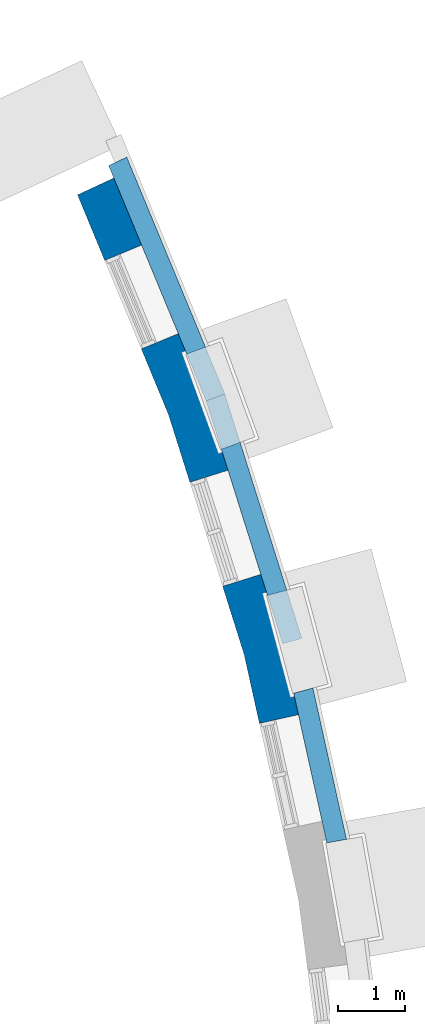
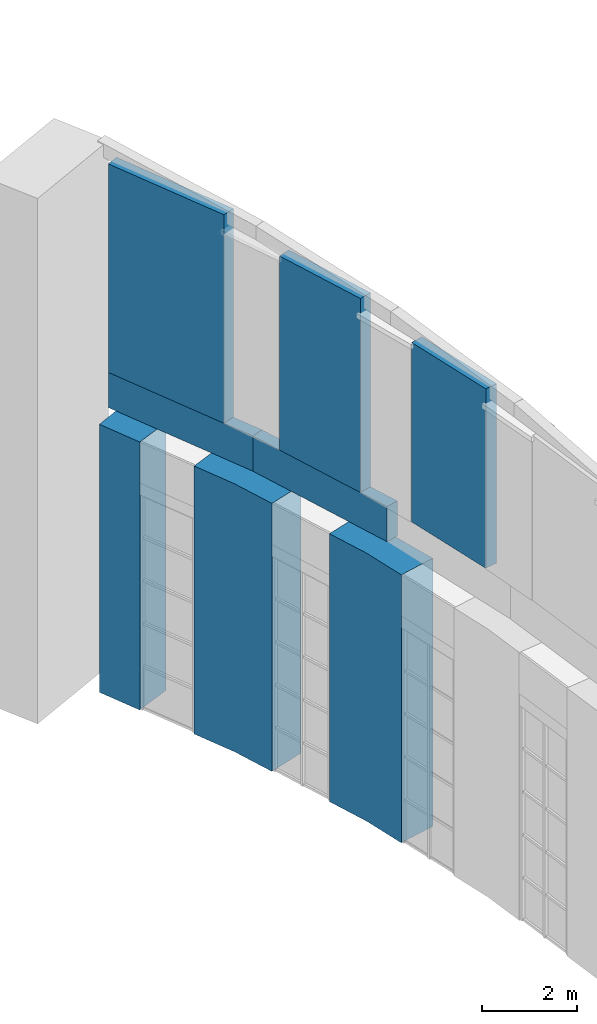
# One storey, part 57 of 82: 8 walls.
"""IFC4 building model written with IfcOpenShell, lengths in metres."""

from ifc_helpers import new_model, si_unit, direction, frame, origin, place, context, subcontext, project, spatial, polyline, outline, extrude, material, layer, layer_set, type_object, element, save


model = new_model("IFC4")

# Units and contexts
model_context = context("Model", 3, precision=1e-05, world=origin(), true_north=direction((0.0, 1.0)))
body_context = subcontext(model_context, "Body", "Model", "MODEL_VIEW")
ifc_project = project(units=[si_unit("LENGTHUNIT", "METRE"), si_unit("AREAUNIT", "SQUARE_METRE"), si_unit("VOLUMEUNIT", "CUBIC_METRE"), si_unit("PLANEANGLEUNIT", "RADIAN"), si_unit("MASSUNIT", "GRAM", prefix="KILO")], contexts=[model_context])

# Site, building, storey
site_placement = place(None, origin())
site = spatial("IfcSite", under=ifc_project, at=site_placement, CompositionType="ELEMENT")
building_placement = place(site_placement, origin())
building = spatial("IfcBuilding", under=site, at=building_placement, Name="Volute Hill Aquarium", CompositionType="ELEMENT")
storey_placement = place(building_placement, frame((0.0, 0.0, 13.800048828125)))
storey = spatial("IfcBuildingStorey", under=building, at=storey_placement, Name="L04", CompositionType="ELEMENT", Elevation=13.800048828125)

# Walls
ifc_material_1 = material(Name="Precast concrete C40/50", Category="concrete")
ifc_layer_1 = layer(ifc_material_1, 0.300048828125)
ifc_layer_set_1 = layer_set([ifc_layer_1], Name="Crown screen wall precast concrete C40/50 300")
wall_type_1 = type_object("IfcWallType", Name="Crown screen wall precast concrete C40/50 300", PredefinedType="NOTDEFINED", material=ifc_layer_set_1)
wall_1_placement = place(storey_placement, frame((0.0, 0.0, 7.76123046875)))
element("IfcWall", 1, at=wall_1_placement, inside=storey, type_object=wall_type_1, Name="Crown screen wall CSW S4 8", PredefinedType="NOTDEFINED", context=body_context, shape_type="SweptSolid", body=[
    extrude(outline(polyline([(43.265869140625, 8.400390625), (42.762451171875, 10.671630859375), (42.472412109375, 10.593994140625), (42.97021484375, 8.34814453125), (43.265869140625, 8.400390625)])), origin(), (0.0, 0.0, 1.0), 4.595458984375),
])
wall_2_placement = place(storey_placement, frame((0.0, 0.0, 7.76123046875)))
element("IfcWall", 2, at=wall_2_placement, inside=storey, type_object=wall_type_1, Name="Crown screen wall CSW S4 9", PredefinedType="NOTDEFINED", context=body_context, shape_type="SweptSolid", body=[
    extrude(outline(polyline([(42.369140625, 12.13916015625), (41.66943359375, 14.35791015625), (41.387451171875, 14.25537109375), (42.0791015625, 12.0615234375), (42.369140625, 12.13916015625)])), origin(), (0.0, 0.0, 1.0), 4.96728515625),
])
wall_3_placement = place(storey_placement, frame((0.0, 0.0, 7.76123046875)))
element("IfcWall", 3, at=wall_3_placement, inside=storey, type_object=wall_type_1, Name="Crown screen wall CSW S4 10", PredefinedType="NOTDEFINED", context=body_context, shape_type="SweptSolid", body=[
    extrude(outline(polyline([(41.14990234375, 15.78564453125), (39.968505859375, 18.6376953125), (39.6962890625, 18.5107421875), (40.86767578125, 15.68310546875), (41.14990234375, 15.78564453125)])), origin(), (0.0, 0.0, 1.0), 5.33935546875),
])
ifc_material_2 = material(Name="Precast concrete C40/50", Category="concrete")
ifc_layer_2 = layer(ifc_material_2, 0.89990234375)
ifc_layer_set_2 = layer_set([ifc_layer_2], Name="Outer pier precast concrete C40/50 900")
wall_type_2 = type_object("IfcWallType", Name="Outer pier precast concrete C40/50 900", PredefinedType="NOTDEFINED", material=ifc_layer_set_2)
wall_4_placement = place(storey_placement, origin())
element("IfcWall", 4, at=wall_4_placement, inside=storey, type_object=wall_type_2, Name="Outer pier OWP S4 L04 9", PredefinedType="NOTDEFINED", context=body_context, shape_type="SweptSolid", body=[
    extrude(outline(polyline([(41.958251953125, 10.140380859375), (42.8369140625, 10.335205078125), (42.265625, 12.4677734375), (41.4072265625, 12.197265625), (41.7275390625, 11.180908203125), (41.958251953125, 10.140380859375)])), origin(), (0.0, 0.0, 1.0), 6.861328125),
])
wall_5_placement = place(storey_placement, origin())
element("IfcWall", 5, at=wall_5_placement, inside=storey, type_object=wall_type_2, Name="Outer pier OWP S4 L04 10", PredefinedType="NOTDEFINED", context=body_context, shape_type="SweptSolid", body=[
    extrude(outline(polyline([(40.914794921875, 13.7587890625), (41.773193359375, 14.029541015625), (41.01806640625, 16.10400390625), (40.1865234375, 15.759765625), (40.59423828125, 14.775146484375), (40.914794921875, 13.7587890625)])), origin(), (0.0, 0.0, 1.0), 6.861328125),
])
wall_6_placement = place(storey_placement, origin())
element("IfcWall", 6, at=wall_6_placement, inside=storey, type_object=wall_type_2, Name="Outer pier OWP S4 L04 11", PredefinedType="NOTDEFINED", context=body_context, shape_type="SweptSolid", body=[
    extrude(outline(polyline([(39.636474609375, 17.08740234375), (40.468017578125, 17.431884765625), (40.045166015625, 18.45263671875), (39.228759765625, 18.072021484375), (39.636474609375, 17.08740234375)])), origin(), (0.0, 0.0, 1.0), 6.861328125),
])
ifc_material_3 = material(Name="Precast concrete C40/50", Category="concrete")
ifc_layer_3 = layer(ifc_material_3, 0.300048828125)
ifc_layer_set_3 = layer_set([ifc_layer_3], Name="Roof edge parapet precast concrete C40/50 300")
wall_type_3 = type_object("IfcWallType", Name="Roof edge parapet precast concrete C40/50 300", PredefinedType="PARAPET", material=ifc_layer_set_3)
wall_7_placement = place(storey_placement, frame((0.0, 0.0, 6.861328125)))
element("IfcWall", 7, at=wall_7_placement, inside=storey, type_object=wall_type_3, Name="Roof edge parapet PAR S4 9", PredefinedType="PARAPET", context=body_context, shape_type="SweptSolid", body=[
    extrude(outline(polyline([(42.3076171875, 11.33642578125), (42.59765625, 11.4140625), (41.44091796875, 15.083251953125), (41.15869140625, 14.98046875), (42.3076171875, 11.33642578125)])), origin(), (0.0, 0.0, 1.0), 0.89990234375),
])
wall_8_placement = place(storey_placement, frame((0.0, 0.0, 6.861328125)))
element("IfcWall", 8, at=wall_8_placement, inside=storey, type_object=wall_type_3, Name="Roof edge parapet PAR S4 10", PredefinedType="PARAPET", context=body_context, shape_type="SweptSolid", body=[
    extrude(outline(polyline([(39.968505859375, 18.6376953125), (39.6962890625, 18.5107421875), (41.15869140625, 14.98046875), (41.44091796875, 15.083251953125), (39.968505859375, 18.6376953125)])), origin(), (0.0, 0.0, 1.0), 0.89990234375),
])

save(model, "model.ifc")
